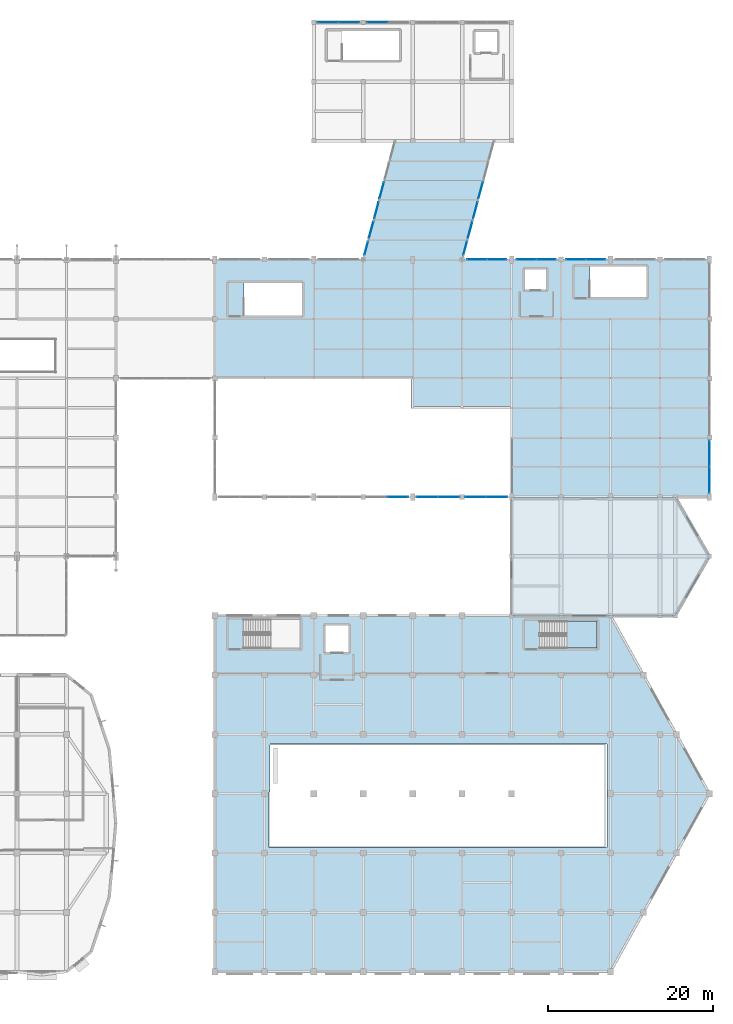
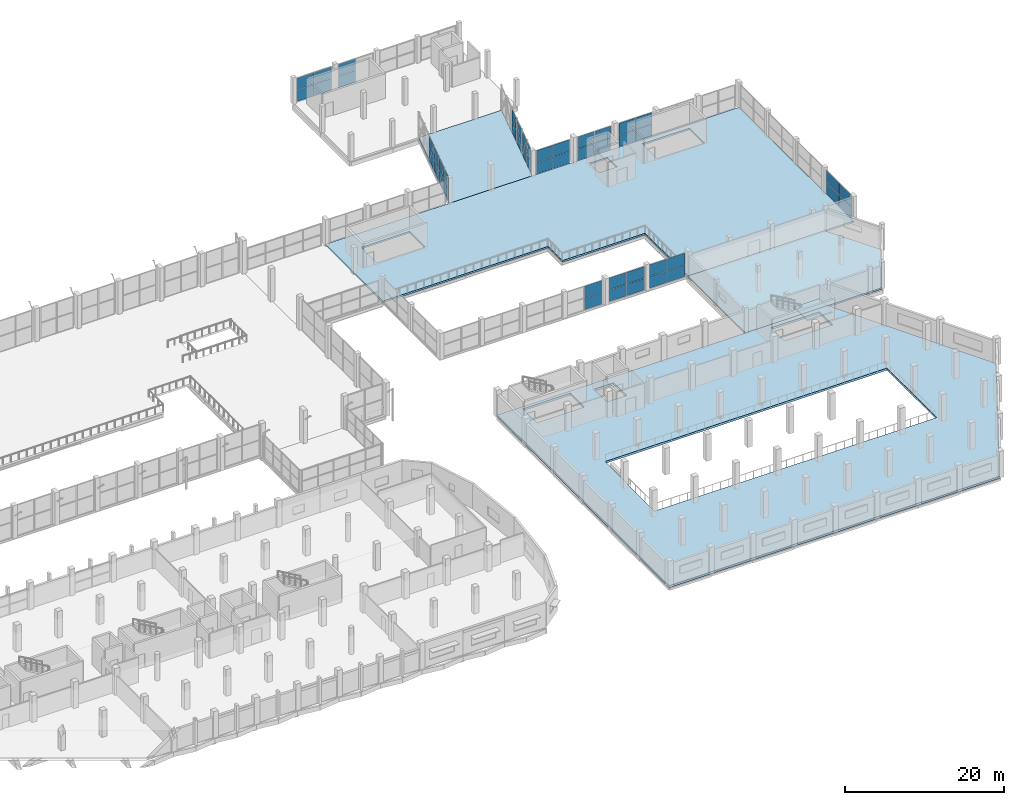
# One storey, part 98 of 127: 48 plates, 5 slabs, 18 elements without a shape of their own.
"""IFC4 building model written with IfcOpenShell, lengths in metres."""

from ifc_helpers import new_model, si_unit, direction, frame, origin, origin_2d, place, context, subcontext, project, spatial, polyline, rectangle, outline, extrude, material, layer, layer_set, type_object, element, aggregate, save


model = new_model("IFC4")

# Units and contexts
model_context = context("Model", 3, precision=1e-05, world=origin(), true_north=direction((0.0, 1.0)))
body_context = subcontext(model_context, "Body", "Model", "MODEL_VIEW")
ifc_project = project(units=[si_unit("LENGTHUNIT", "METRE"), si_unit("AREAUNIT", "SQUARE_METRE"), si_unit("VOLUMEUNIT", "CUBIC_METRE"), si_unit("PLANEANGLEUNIT", "RADIAN"), si_unit("MASSUNIT", "GRAM", prefix="KILO")], contexts=[model_context])

# Site, building, storey
site_placement = place(None, origin())
site = spatial("IfcSite", under=ifc_project, at=site_placement, CompositionType="ELEMENT")
building_placement = place(site_placement, origin())
building = spatial("IfcBuilding", under=site, at=building_placement, Name="Dunvalen Ferry Terminal", CompositionType="ELEMENT")
storey_placement = place(building_placement, frame((0.0, 0.0, 5.760009765625)))
storey = spatial("IfcBuildingStorey", under=building, at=storey_placement, Name="L01", CompositionType="ELEMENT", Elevation=5.760009765625)

# Curtain wall, plates
ifc_material_1 = material(Name="Anodised marine aluminium and solar-control glazing", Category="aluminium")
ifc_layer_1 = layer(ifc_material_1, 0.219970703125, Name="Anodised marine aluminium and solar-control glazing")
ifc_layer_set_1 = layer_set([ifc_layer_1], Name="Anodised marine aluminium and solar-control glazing")
curtain_wall_type_1 = type_object("IfcCurtainWallType", Name="ENV-CW-SYS-04", PredefinedType="NOTDEFINED", material=ifc_layer_set_1)
curtain_wall_1_placement = place(storey_placement, origin())
curtain_wall_1 = element("IfcCurtainWall", 1, at=curtain_wall_1_placement, inside=storey, type_object=curtain_wall_type_1, Name="L01 Curtain Wall CW-V2E-L01-1", PredefinedType="NOTDEFINED")
ifc_material_2 = material(Name="Low-E solar-control laminated double glazing", Category="glass")
ifc_layer_2 = layer(ifc_material_2, 0.031982421875, Name="Low-E solar-control laminated double glazing")
ifc_layer_set_2 = layer_set([ifc_layer_2], Name="Low-E solar-control laminated double glazing")
plate_type_1 = type_object("IfcPlateType", Name="ENV-CW-PNL-2", PredefinedType="CURTAIN_PANEL", material=ifc_layer_set_2)
plate_1_placement = place(storey_placement, frame((168.0, 59.677490234375, 0.080078125), z_axis=(0.0, 0.0, 1.0), x_axis=(0.0, 1.0, 0.0)))
plate_1 = element("IfcPlate", 2, at=plate_1_placement, type_object=plate_type_1, Name="CW-04 panel 1.1", PredefinedType="CURTAIN_PANEL", context=body_context, shape_type="SweptSolid", body=[
    extrude(rectangle(XDim=3.135009765625, YDim=0.031982421875, at=origin_2d()), origin(), (0.0, 0.0, 1.0), 1.780029296875),
])
plate_2_placement = place(storey_placement, frame((168.0, 59.677490234375, 1.919921875), z_axis=(0.0, 0.0, 1.0), x_axis=(0.0, 1.0, 0.0)))
plate_2 = element("IfcPlate", 3, at=plate_2_placement, type_object=plate_type_1, Name="CW-04 panel 1.2", PredefinedType="CURTAIN_PANEL", context=body_context, shape_type="SweptSolid", body=[
    extrude(rectangle(XDim=3.135009765625, YDim=0.031982421875, at=origin_2d()), origin(), (0.0, 0.0, 1.0), 1.780029296875),
])
plate_3_placement = place(storey_placement, frame((168.0, 62.87255859375, 0.080078125), z_axis=(0.0, 0.0, 1.0), x_axis=(0.0, 1.0, 0.0)))
plate_3 = element("IfcPlate", 4, at=plate_3_placement, type_object=plate_type_1, Name="CW-04 panel 2.1", PredefinedType="CURTAIN_PANEL", context=body_context, shape_type="SweptSolid", body=[
    extrude(rectangle(XDim=3.135009765625, YDim=0.031982421875, at=origin_2d()), origin(), (0.0, 0.0, 1.0), 1.780029296875),
])
plate_4_placement = place(storey_placement, frame((168.0, 62.87255859375, 1.919921875), z_axis=(0.0, 0.0, 1.0), x_axis=(0.0, 1.0, 0.0)))
plate_4 = element("IfcPlate", 5, at=plate_4_placement, type_object=plate_type_1, Name="CW-04 panel 2.2", PredefinedType="CURTAIN_PANEL", context=body_context, shape_type="SweptSolid", body=[
    extrude(rectangle(XDim=3.135009765625, YDim=0.031982421875, at=origin_2d()), origin(), (0.0, 0.0, 1.0), 1.780029296875),
])
aggregate(curtain_wall_1, [plate_1, plate_2, plate_3, plate_4])

ifc_layer_3 = layer(ifc_material_1, 0.159912109375, Name="Anodised marine aluminium and solar-control glazing")
ifc_layer_set_3 = layer_set([ifc_layer_3], Name="Anodised marine aluminium and solar-control glazing")
curtain_wall_type_2 = type_object("IfcCurtainWallType", Name="ENV-CW-SYS-08", PredefinedType="NOTDEFINED", material=ifc_layer_set_3)
curtain_wall_2_placement = place(storey_placement, origin())
curtain_wall_2 = element("IfcCurtainWall", 6, at=curtain_wall_2_placement, inside=storey, type_object=curtain_wall_type_2, Name="L01 Curtain Wall CW-BRT2-N-L01-1", PredefinedType="NOTDEFINED")
plate_5_placement = place(storey_placement, frame((121.739990234375, 115.199951171875, 0.06005859375), z_axis=(0.0, 0.0, 1.0), x_axis=(1.0, 0.0, 0.0)))
plate_5 = element("IfcPlate", 7, at=plate_5_placement, type_object=plate_type_1, Name="CW-08 panel 1.1", PredefinedType="CURTAIN_PANEL", context=body_context, shape_type="SweptSolid", body=[
    extrude(rectangle(XDim=2.4599609375, YDim=0.031982421875, at=origin_2d()), origin(), (0.0, 0.0, 1.0), 1.77001953125),
])
plate_6_placement = place(storey_placement, frame((121.739990234375, 115.199951171875, 1.889892578125), z_axis=(0.0, 0.0, 1.0), x_axis=(1.0, 0.0, 0.0)))
plate_6 = element("IfcPlate", 8, at=plate_6_placement, type_object=plate_type_1, Name="CW-08 panel 1.2", PredefinedType="CURTAIN_PANEL", context=body_context, shape_type="SweptSolid", body=[
    extrude(rectangle(XDim=2.4599609375, YDim=0.031982421875, at=origin_2d()), origin(), (0.0, 0.0, 1.0), 1.77001953125),
])
plate_7_placement = place(storey_placement, frame((124.260009765625, 115.199951171875, 0.06005859375), z_axis=(0.0, 0.0, 1.0), x_axis=(1.0, 0.0, 0.0)))
plate_7 = element("IfcPlate", 9, at=plate_7_placement, type_object=plate_type_1, Name="CW-08 panel 2.1", PredefinedType="CURTAIN_PANEL", context=body_context, shape_type="SweptSolid", body=[
    extrude(rectangle(XDim=2.4599609375, YDim=0.031982421875, at=origin_2d()), origin(), (0.0, 0.0, 1.0), 1.77001953125),
])
plate_8_placement = place(storey_placement, frame((124.260009765625, 115.199951171875, 1.889892578125), z_axis=(0.0, 0.0, 1.0), x_axis=(1.0, 0.0, 0.0)))
plate_8 = element("IfcPlate", 10, at=plate_8_placement, type_object=plate_type_1, Name="CW-08 panel 2.2", PredefinedType="CURTAIN_PANEL", context=body_context, shape_type="SweptSolid", body=[
    extrude(rectangle(XDim=2.4599609375, YDim=0.031982421875, at=origin_2d()), origin(), (0.0, 0.0, 1.0), 1.77001953125),
])
aggregate(curtain_wall_2, [plate_5, plate_6, plate_7, plate_8])

curtain_wall_3_placement = place(storey_placement, origin())
curtain_wall_3 = element("IfcCurtainWall", 11, at=curtain_wall_3_placement, inside=storey, type_object=curtain_wall_type_2, Name="L01 Curtain Wall CW-BRT2-N-L01-2", PredefinedType="NOTDEFINED")
plate_9_placement = place(storey_placement, frame((127.739990234375, 115.199951171875, 0.06005859375), z_axis=(0.0, 0.0, 1.0), x_axis=(1.0, 0.0, 0.0)))
plate_9 = element("IfcPlate", 12, at=plate_9_placement, type_object=plate_type_1, Name="CW-08 panel 1.1", PredefinedType="CURTAIN_PANEL", context=body_context, shape_type="SweptSolid", body=[
    extrude(rectangle(XDim=2.4599609375, YDim=0.031982421875, at=origin_2d()), origin(), (0.0, 0.0, 1.0), 1.77001953125),
])
plate_10_placement = place(storey_placement, frame((127.739990234375, 115.199951171875, 1.889892578125), z_axis=(0.0, 0.0, 1.0), x_axis=(1.0, 0.0, 0.0)))
plate_10 = element("IfcPlate", 13, at=plate_10_placement, type_object=plate_type_1, Name="CW-08 panel 1.2", PredefinedType="CURTAIN_PANEL", context=body_context, shape_type="SweptSolid", body=[
    extrude(rectangle(XDim=2.4599609375, YDim=0.031982421875, at=origin_2d()), origin(), (0.0, 0.0, 1.0), 1.77001953125),
])
aggregate(curtain_wall_3, [plate_9, plate_10])

ifc_layer_4 = layer(ifc_material_1, 0.219970703125, Name="Anodised marine aluminium and solar-control glazing")
ifc_layer_set_4 = layer_set([ifc_layer_4], Name="Anodised marine aluminium and solar-control glazing")
curtain_wall_type_3 = type_object("IfcCurtainWallType", Name="ENV-CW-SYS-02", PredefinedType="NOTDEFINED", material=ifc_layer_set_4)
curtain_wall_4_placement = place(storey_placement, origin())
curtain_wall_4 = element("IfcCurtainWall", 14, at=curtain_wall_4_placement, inside=storey, type_object=curtain_wall_type_3, Name="L01 Curtain Wall CW-V2S-L01-04", PredefinedType="NOTDEFINED")
ifc_layer_5 = layer(ifc_material_2, 0.0400390625, Name="Low-E solar-control laminated double glazing")
ifc_layer_set_5 = layer_set([ifc_layer_5], Name="Low-E solar-control laminated double glazing")
plate_type_2 = type_object("IfcPlateType", Name="ENV-CW-PNL-4", PredefinedType="CURTAIN_PANEL", material=ifc_layer_set_5)
plate_11_placement = place(storey_placement, frame((130.222412109375, 57.60009765625, 0.080078125), z_axis=(0.0, 0.0, 1.0), x_axis=(1.0, 0.0, 0.0)))
plate_11 = element("IfcPlate", 15, at=plate_11_placement, type_object=plate_type_2, Name="CW-02 panel 2.1", PredefinedType="CURTAIN_PANEL", context=body_context, shape_type="SweptSolid", body=[
    extrude(rectangle(XDim=2.534912109375, YDim=0.0400390625, at=origin_2d()), origin(), (0.0, 0.0, 1.0), 1.780029296875),
])
plate_12_placement = place(storey_placement, frame((130.222412109375, 57.60009765625, 1.919921875), z_axis=(0.0, 0.0, 1.0), x_axis=(1.0, 0.0, 0.0)))
plate_12 = element("IfcPlate", 16, at=plate_12_placement, type_object=plate_type_2, Name="CW-02 panel 2.2", PredefinedType="CURTAIN_PANEL", context=body_context, shape_type="SweptSolid", body=[
    extrude(rectangle(XDim=2.534912109375, YDim=0.0400390625, at=origin_2d()), origin(), (0.0, 0.0, 1.0), 1.780029296875),
])
aggregate(curtain_wall_4, [plate_11, plate_12])

curtain_wall_5_placement = place(storey_placement, origin())
curtain_wall_5 = element("IfcCurtainWall", 17, at=curtain_wall_5_placement, inside=storey, type_object=curtain_wall_type_3, Name="L01 Curtain Wall CW-V2S-L01-05", PredefinedType="NOTDEFINED")
plate_13_placement = place(storey_placement, frame((133.777587890625, 57.60009765625, 0.080078125), z_axis=(0.0, 0.0, 1.0), x_axis=(1.0, 0.0, 0.0)))
plate_13 = element("IfcPlate", 18, at=plate_13_placement, type_object=plate_type_2, Name="CW-02 panel 1.1", PredefinedType="CURTAIN_PANEL", context=body_context, shape_type="SweptSolid", body=[
    extrude(rectangle(XDim=2.534912109375, YDim=0.0400390625, at=origin_2d()), origin(), (0.0, 0.0, 1.0), 1.780029296875),
])
plate_14_placement = place(storey_placement, frame((133.777587890625, 57.60009765625, 1.919921875), z_axis=(0.0, 0.0, 1.0), x_axis=(1.0, 0.0, 0.0)))
plate_14 = element("IfcPlate", 19, at=plate_14_placement, type_object=plate_type_2, Name="CW-02 panel 1.2", PredefinedType="CURTAIN_PANEL", context=body_context, shape_type="SweptSolid", body=[
    extrude(rectangle(XDim=2.534912109375, YDim=0.0400390625, at=origin_2d()), origin(), (0.0, 0.0, 1.0), 1.780029296875),
])
plate_15_placement = place(storey_placement, frame((136.37255859375, 57.60009765625, 0.080078125), z_axis=(0.0, 0.0, 1.0), x_axis=(1.0, 0.0, 0.0)))
plate_15 = element("IfcPlate", 20, at=plate_15_placement, type_object=plate_type_2, Name="CW-02 panel 2.1", PredefinedType="CURTAIN_PANEL", context=body_context, shape_type="SweptSolid", body=[
    extrude(rectangle(XDim=2.534912109375, YDim=0.0400390625, at=origin_2d()), origin(), (0.0, 0.0, 1.0), 1.780029296875),
])
plate_16_placement = place(storey_placement, frame((136.37255859375, 57.60009765625, 1.919921875), z_axis=(0.0, 0.0, 1.0), x_axis=(1.0, 0.0, 0.0)))
plate_16 = element("IfcPlate", 21, at=plate_16_placement, type_object=plate_type_2, Name="CW-02 panel 2.2", PredefinedType="CURTAIN_PANEL", context=body_context, shape_type="SweptSolid", body=[
    extrude(rectangle(XDim=2.534912109375, YDim=0.0400390625, at=origin_2d()), origin(), (0.0, 0.0, 1.0), 1.780029296875),
])
aggregate(curtain_wall_5, [plate_13, plate_14, plate_15, plate_16])

curtain_wall_6_placement = place(storey_placement, origin())
curtain_wall_6 = element("IfcCurtainWall", 22, at=curtain_wall_6_placement, inside=storey, type_object=curtain_wall_type_3, Name="L01 Curtain Wall CW-V2S-L01-06", PredefinedType="NOTDEFINED")
plate_17_placement = place(storey_placement, frame((139.62744140625, 57.60009765625, 0.080078125), z_axis=(0.0, 0.0, 1.0), x_axis=(1.0, 0.0, 0.0)))
plate_17 = element("IfcPlate", 23, at=plate_17_placement, type_object=plate_type_2, Name="CW-02 panel 1.1", PredefinedType="CURTAIN_PANEL", context=body_context, shape_type="SweptSolid", body=[
    extrude(rectangle(XDim=2.534912109375, YDim=0.0400390625, at=origin_2d()), origin(), (0.0, 0.0, 1.0), 1.780029296875),
])
plate_18_placement = place(storey_placement, frame((139.62744140625, 57.60009765625, 1.919921875), z_axis=(0.0, 0.0, 1.0), x_axis=(1.0, 0.0, 0.0)))
plate_18 = element("IfcPlate", 24, at=plate_18_placement, type_object=plate_type_2, Name="CW-02 panel 1.2", PredefinedType="CURTAIN_PANEL", context=body_context, shape_type="SweptSolid", body=[
    extrude(rectangle(XDim=2.534912109375, YDim=0.0400390625, at=origin_2d()), origin(), (0.0, 0.0, 1.0), 1.780029296875),
])
plate_19_placement = place(storey_placement, frame((142.222412109375, 57.60009765625, 0.080078125), z_axis=(0.0, 0.0, 1.0), x_axis=(1.0, 0.0, 0.0)))
plate_19 = element("IfcPlate", 25, at=plate_19_placement, type_object=plate_type_2, Name="CW-02 panel 2.1", PredefinedType="CURTAIN_PANEL", context=body_context, shape_type="SweptSolid", body=[
    extrude(rectangle(XDim=2.534912109375, YDim=0.0400390625, at=origin_2d()), origin(), (0.0, 0.0, 1.0), 1.780029296875),
])
plate_20_placement = place(storey_placement, frame((142.222412109375, 57.60009765625, 1.919921875), z_axis=(0.0, 0.0, 1.0), x_axis=(1.0, 0.0, 0.0)))
plate_20 = element("IfcPlate", 26, at=plate_20_placement, type_object=plate_type_2, Name="CW-02 panel 2.2", PredefinedType="CURTAIN_PANEL", context=body_context, shape_type="SweptSolid", body=[
    extrude(rectangle(XDim=2.534912109375, YDim=0.0400390625, at=origin_2d()), origin(), (0.0, 0.0, 1.0), 1.780029296875),
])
aggregate(curtain_wall_6, [plate_17, plate_18, plate_19, plate_20])

ifc_layer_6 = layer(ifc_material_1, 0.159912109375, Name="Anodised marine aluminium and solar-control glazing")
ifc_layer_set_6 = layer_set([ifc_layer_6], Name="Anodised marine aluminium and solar-control glazing")
curtain_wall_type_4 = type_object("IfcCurtainWallType", Name="ENV-CW-SYS-07", PredefinedType="NOTDEFINED", material=ifc_layer_set_6)
curtain_wall_7_placement = place(storey_placement, origin())
curtain_wall_7 = element("IfcCurtainWall", 27, at=curtain_wall_7_placement, inside=storey, type_object=curtain_wall_type_4, Name="L01 Curtain Wall CW-BRG2-S1-1", PredefinedType="NOTDEFINED")
ifc_layer_7 = layer(ifc_material_2, 0.0439453125, Name="Low-E solar-control laminated double glazing")
ifc_layer_set_7 = layer_set([ifc_layer_7], Name="Low-E solar-control laminated double glazing")
plate_type_3 = type_object("IfcPlateType", Name="ENV-CW-PNL-5", PredefinedType="CURTAIN_PANEL", material=ifc_layer_set_7)
plate_21_placement = place(storey_placement, frame((126.37158203125, 87.787109375, 0.06005859375), z_axis=(0.0, 0.0, 1.0), x_axis=(0.258843376057, 0.965919306501, 0.0)))
plate_21 = element("IfcPlate", 28, at=plate_21_placement, type_object=plate_type_3, Name="CW-07 panel 1.1", PredefinedType="CURTAIN_PANEL", context=body_context, shape_type="SweptSolid", body=[
    extrude(rectangle(XDim=1.619384765625, YDim=0.0439453125, at=origin_2d()), origin(), (0.0, 0.0, 1.0), 1.77001953125),
])
plate_22_placement = place(storey_placement, frame((126.37158203125, 87.787109375, 1.889892578125), z_axis=(0.0, 0.0, 1.0), x_axis=(0.258843376057, 0.965919306501, 0.0)))
plate_22 = element("IfcPlate", 29, at=plate_22_placement, type_object=plate_type_3, Name="CW-07 panel 1.2", PredefinedType="CURTAIN_PANEL", context=body_context, shape_type="SweptSolid", body=[
    extrude(rectangle(XDim=1.619384765625, YDim=0.0439453125, at=origin_2d()), origin(), (0.0, 0.0, 1.0), 1.77001953125),
])
aggregate(curtain_wall_7, [plate_21, plate_22])

curtain_wall_8_placement = place(storey_placement, origin())
curtain_wall_8 = element("IfcCurtainWall", 30, at=curtain_wall_8_placement, inside=storey, type_object=curtain_wall_type_4, Name="L01 Curtain Wall CW-BRG2-S1-2", PredefinedType="NOTDEFINED")
plate_23_placement = place(storey_placement, frame((126.964599609375, 90.0, 0.06005859375), z_axis=(0.0, 0.0, 1.0), x_axis=(0.258830090561, 0.9659228666, 0.0)))
plate_23 = element("IfcPlate", 31, at=plate_23_placement, type_object=plate_type_3, Name="CW-07 panel 1.1", PredefinedType="CURTAIN_PANEL", context=body_context, shape_type="SweptSolid", body=[
    extrude(rectangle(XDim=2.0068359375, YDim=0.0439453125, at=origin_2d()), origin(), (0.0, 0.0, 1.0), 1.77001953125),
])
plate_24_placement = place(storey_placement, frame((126.964599609375, 90.0, 1.889892578125), z_axis=(0.0, 0.0, 1.0), x_axis=(0.258830090561, 0.9659228666, 0.0)))
plate_24 = element("IfcPlate", 32, at=plate_24_placement, type_object=plate_type_3, Name="CW-07 panel 1.2", PredefinedType="CURTAIN_PANEL", context=body_context, shape_type="SweptSolid", body=[
    extrude(rectangle(XDim=2.0068359375, YDim=0.0439453125, at=origin_2d()), origin(), (0.0, 0.0, 1.0), 1.77001953125),
])
aggregate(curtain_wall_8, [plate_23, plate_24])

curtain_wall_9_placement = place(storey_placement, origin())
curtain_wall_9 = element("IfcCurtainWall", 33, at=curtain_wall_9_placement, inside=storey, type_object=curtain_wall_type_4, Name="L01 Curtain Wall CW-BRG2-S1-3", PredefinedType="NOTDEFINED")
plate_25_placement = place(storey_placement, frame((127.607666015625, 92.39990234375, 0.06005859375), z_axis=(0.0, 0.0, 1.0), x_axis=(0.258786222315, 0.965934620531, 0.0)))
plate_25 = element("IfcPlate", 34, at=plate_25_placement, type_object=plate_type_3, Name="CW-07 panel 1.1", PredefinedType="CURTAIN_PANEL", context=body_context, shape_type="SweptSolid", body=[
    extrude(rectangle(XDim=2.0068359375, YDim=0.0439453125, at=origin_2d()), origin(), (0.0, 0.0, 1.0), 1.77001953125),
])
plate_26_placement = place(storey_placement, frame((127.607666015625, 92.39990234375, 1.889892578125), z_axis=(0.0, 0.0, 1.0), x_axis=(0.258786222315, 0.965934620531, 0.0)))
plate_26 = element("IfcPlate", 35, at=plate_26_placement, type_object=plate_type_3, Name="CW-07 panel 1.2", PredefinedType="CURTAIN_PANEL", context=body_context, shape_type="SweptSolid", body=[
    extrude(rectangle(XDim=2.0068359375, YDim=0.0439453125, at=origin_2d()), origin(), (0.0, 0.0, 1.0), 1.77001953125),
])
aggregate(curtain_wall_9, [plate_25, plate_26])

curtain_wall_10_placement = place(storey_placement, origin())
curtain_wall_10 = element("IfcCurtainWall", 36, at=curtain_wall_10_placement, inside=storey, type_object=curtain_wall_type_4, Name="L01 Curtain Wall CW-BRG2-S1-4", PredefinedType="NOTDEFINED")
plate_27_placement = place(storey_placement, frame((128.250732421875, 94.800048828125, 0.06005859375), z_axis=(0.0, 0.0, 1.0), x_axis=(0.258786222315, 0.965934620531, 0.0)))
plate_27 = element("IfcPlate", 37, at=plate_27_placement, type_object=plate_type_3, Name="CW-07 panel 1.1", PredefinedType="CURTAIN_PANEL", context=body_context, shape_type="SweptSolid", body=[
    extrude(rectangle(XDim=2.0068359375, YDim=0.0439453125, at=origin_2d()), origin(), (0.0, 0.0, 1.0), 1.77001953125),
])
plate_28_placement = place(storey_placement, frame((128.250732421875, 94.800048828125, 1.889892578125), z_axis=(0.0, 0.0, 1.0), x_axis=(0.258786222315, 0.965934620531, 0.0)))
plate_28 = element("IfcPlate", 38, at=plate_28_placement, type_object=plate_type_3, Name="CW-07 panel 1.2", PredefinedType="CURTAIN_PANEL", context=body_context, shape_type="SweptSolid", body=[
    extrude(rectangle(XDim=2.0068359375, YDim=0.0439453125, at=origin_2d()), origin(), (0.0, 0.0, 1.0), 1.77001953125),
])
aggregate(curtain_wall_10, [plate_27, plate_28])

curtain_wall_11_placement = place(storey_placement, origin())
curtain_wall_11 = element("IfcCurtainWall", 39, at=curtain_wall_11_placement, inside=storey, type_object=curtain_wall_type_4, Name="L01 Curtain Wall CW-BRG2-S2-1", PredefinedType="NOTDEFINED")
plate_29_placement = place(storey_placement, frame((138.37158203125, 87.787109375, 0.06005859375), z_axis=(0.0, 0.0, 1.0), x_axis=(0.258843376057, 0.965919306501, 0.0)))
plate_29 = element("IfcPlate", 40, at=plate_29_placement, type_object=plate_type_3, Name="CW-07 panel 1.1", PredefinedType="CURTAIN_PANEL", context=body_context, shape_type="SweptSolid", body=[
    extrude(rectangle(XDim=1.619384765625, YDim=0.0439453125, at=origin_2d()), origin(), (0.0, 0.0, 1.0), 1.77001953125),
])
plate_30_placement = place(storey_placement, frame((138.37158203125, 87.787109375, 1.889892578125), z_axis=(0.0, 0.0, 1.0), x_axis=(0.258843376057, 0.965919306501, 0.0)))
plate_30 = element("IfcPlate", 41, at=plate_30_placement, type_object=plate_type_3, Name="CW-07 panel 1.2", PredefinedType="CURTAIN_PANEL", context=body_context, shape_type="SweptSolid", body=[
    extrude(rectangle(XDim=1.619384765625, YDim=0.0439453125, at=origin_2d()), origin(), (0.0, 0.0, 1.0), 1.77001953125),
])
aggregate(curtain_wall_11, [plate_29, plate_30])

curtain_wall_12_placement = place(storey_placement, origin())
curtain_wall_12 = element("IfcCurtainWall", 42, at=curtain_wall_12_placement, inside=storey, type_object=curtain_wall_type_4, Name="L01 Curtain Wall CW-BRG2-S2-2", PredefinedType="NOTDEFINED")
plate_31_placement = place(storey_placement, frame((138.964599609375, 90.0, 0.06005859375), z_axis=(0.0, 0.0, 1.0), x_axis=(0.258830090561, 0.9659228666, 0.0)))
plate_31 = element("IfcPlate", 43, at=plate_31_placement, type_object=plate_type_3, Name="CW-07 panel 1.1", PredefinedType="CURTAIN_PANEL", context=body_context, shape_type="SweptSolid", body=[
    extrude(rectangle(XDim=2.0068359375, YDim=0.0439453125, at=origin_2d()), origin(), (0.0, 0.0, 1.0), 1.77001953125),
])
plate_32_placement = place(storey_placement, frame((138.964599609375, 90.0, 1.889892578125), z_axis=(0.0, 0.0, 1.0), x_axis=(0.258830090561, 0.9659228666, 0.0)))
plate_32 = element("IfcPlate", 44, at=plate_32_placement, type_object=plate_type_3, Name="CW-07 panel 1.2", PredefinedType="CURTAIN_PANEL", context=body_context, shape_type="SweptSolid", body=[
    extrude(rectangle(XDim=2.0068359375, YDim=0.0439453125, at=origin_2d()), origin(), (0.0, 0.0, 1.0), 1.77001953125),
])
aggregate(curtain_wall_12, [plate_31, plate_32])

curtain_wall_13_placement = place(storey_placement, origin())
curtain_wall_13 = element("IfcCurtainWall", 45, at=curtain_wall_13_placement, inside=storey, type_object=curtain_wall_type_4, Name="L01 Curtain Wall CW-BRG2-S2-3", PredefinedType="NOTDEFINED")
plate_33_placement = place(storey_placement, frame((139.607666015625, 92.39990234375, 0.06005859375), z_axis=(0.0, 0.0, 1.0), x_axis=(0.258786222315, 0.965934620531, 0.0)))
plate_33 = element("IfcPlate", 46, at=plate_33_placement, type_object=plate_type_3, Name="CW-07 panel 1.1", PredefinedType="CURTAIN_PANEL", context=body_context, shape_type="SweptSolid", body=[
    extrude(rectangle(XDim=2.0068359375, YDim=0.0439453125, at=origin_2d()), origin(), (0.0, 0.0, 1.0), 1.77001953125),
])
plate_34_placement = place(storey_placement, frame((139.607666015625, 92.39990234375, 1.889892578125), z_axis=(0.0, 0.0, 1.0), x_axis=(0.258786222315, 0.965934620531, 0.0)))
plate_34 = element("IfcPlate", 47, at=plate_34_placement, type_object=plate_type_3, Name="CW-07 panel 1.2", PredefinedType="CURTAIN_PANEL", context=body_context, shape_type="SweptSolid", body=[
    extrude(rectangle(XDim=2.0068359375, YDim=0.0439453125, at=origin_2d()), origin(), (0.0, 0.0, 1.0), 1.77001953125),
])
aggregate(curtain_wall_13, [plate_33, plate_34])

curtain_wall_14_placement = place(storey_placement, origin())
curtain_wall_14 = element("IfcCurtainWall", 48, at=curtain_wall_14_placement, inside=storey, type_object=curtain_wall_type_4, Name="L01 Curtain Wall CW-BRG2-S2-4", PredefinedType="NOTDEFINED")
plate_35_placement = place(storey_placement, frame((140.250732421875, 94.800048828125, 0.06005859375), z_axis=(0.0, 0.0, 1.0), x_axis=(0.258786222315, 0.965934620531, 0.0)))
plate_35 = element("IfcPlate", 49, at=plate_35_placement, type_object=plate_type_3, Name="CW-07 panel 1.1", PredefinedType="CURTAIN_PANEL", context=body_context, shape_type="SweptSolid", body=[
    extrude(rectangle(XDim=2.0068359375, YDim=0.0439453125, at=origin_2d()), origin(), (0.0, 0.0, 1.0), 1.77001953125),
])
plate_36_placement = place(storey_placement, frame((140.250732421875, 94.800048828125, 1.889892578125), z_axis=(0.0, 0.0, 1.0), x_axis=(0.258786222315, 0.965934620531, 0.0)))
plate_36 = element("IfcPlate", 50, at=plate_36_placement, type_object=plate_type_3, Name="CW-07 panel 1.2", PredefinedType="CURTAIN_PANEL", context=body_context, shape_type="SweptSolid", body=[
    extrude(rectangle(XDim=2.0068359375, YDim=0.0439453125, at=origin_2d()), origin(), (0.0, 0.0, 1.0), 1.77001953125),
])
aggregate(curtain_wall_14, [plate_35, plate_36])

curtain_wall_15_placement = place(storey_placement, origin())
curtain_wall_15 = element("IfcCurtainWall", 51, at=curtain_wall_15_placement, inside=storey, type_object=curtain_wall_type_3, Name="L01 Curtain Wall CW-V2N-L01-06", PredefinedType="NOTDEFINED")
ifc_layer_8 = layer(ifc_material_2, 0.048095703125, Name="Low-E solar-control laminated double glazing")
ifc_layer_set_8 = layer_set([ifc_layer_8], Name="Low-E solar-control laminated double glazing")
plate_type_4 = type_object("IfcPlateType", Name="ENV-CW-PNL-6", PredefinedType="CURTAIN_PANEL", material=ifc_layer_set_8)
plate_37_placement = place(storey_placement, frame((139.794921875, 86.39990234375, 0.06005859375), z_axis=(0.0, 0.0, 1.0), x_axis=(1.0, 0.0, 0.0)))
plate_37 = element("IfcPlate", 52, at=plate_37_placement, type_object=plate_type_4, Name="CW-02 panel 1.1", PredefinedType="CURTAIN_PANEL", context=body_context, shape_type="SweptSolid", body=[
    extrude(rectangle(XDim=2.35009765625, YDim=0.048095703125, at=origin_2d()), origin(), (0.0, 0.0, 1.0), 1.77001953125),
])
plate_38_placement = place(storey_placement, frame((139.794921875, 86.39990234375, 1.889892578125), z_axis=(0.0, 0.0, 1.0), x_axis=(1.0, 0.0, 0.0)))
plate_38 = element("IfcPlate", 53, at=plate_38_placement, type_object=plate_type_4, Name="CW-02 panel 1.2", PredefinedType="CURTAIN_PANEL", context=body_context, shape_type="SweptSolid", body=[
    extrude(rectangle(XDim=2.35009765625, YDim=0.048095703125, at=origin_2d()), origin(), (0.0, 0.0, 1.0), 1.77001953125),
])
plate_39_placement = place(storey_placement, frame((142.205078125, 86.39990234375, 0.06005859375), z_axis=(0.0, 0.0, 1.0), x_axis=(1.0, 0.0, 0.0)))
plate_39 = element("IfcPlate", 54, at=plate_39_placement, type_object=plate_type_4, Name="CW-02 panel 2.1", PredefinedType="CURTAIN_PANEL", context=body_context, shape_type="SweptSolid", body=[
    extrude(rectangle(XDim=2.35009765625, YDim=0.048095703125, at=origin_2d()), origin(), (0.0, 0.0, 1.0), 1.77001953125),
])
plate_40_placement = place(storey_placement, frame((142.205078125, 86.39990234375, 1.889892578125), z_axis=(0.0, 0.0, 1.0), x_axis=(1.0, 0.0, 0.0)))
plate_40 = element("IfcPlate", 55, at=plate_40_placement, type_object=plate_type_4, Name="CW-02 panel 2.2", PredefinedType="CURTAIN_PANEL", context=body_context, shape_type="SweptSolid", body=[
    extrude(rectangle(XDim=2.35009765625, YDim=0.048095703125, at=origin_2d()), origin(), (0.0, 0.0, 1.0), 1.77001953125),
])
aggregate(curtain_wall_15, [plate_37, plate_38, plate_39, plate_40])

curtain_wall_16_placement = place(storey_placement, origin())
curtain_wall_16 = element("IfcCurtainWall", 56, at=curtain_wall_16_placement, inside=storey, type_object=curtain_wall_type_3, Name="L01 Curtain Wall CW-V2N-L01-07", PredefinedType="NOTDEFINED")
plate_41_placement = place(storey_placement, frame((145.794921875, 86.39990234375, 0.06005859375), z_axis=(0.0, 0.0, 1.0), x_axis=(1.0, 0.0, 0.0)))
plate_41 = element("IfcPlate", 57, at=plate_41_placement, type_object=plate_type_4, Name="CW-02 panel 1.1", PredefinedType="CURTAIN_PANEL", context=body_context, shape_type="SweptSolid", body=[
    extrude(rectangle(XDim=2.35009765625, YDim=0.048095703125, at=origin_2d()), origin(), (0.0, 0.0, 1.0), 1.77001953125),
])
plate_42_placement = place(storey_placement, frame((145.794921875, 86.39990234375, 1.889892578125), z_axis=(0.0, 0.0, 1.0), x_axis=(1.0, 0.0, 0.0)))
plate_42 = element("IfcPlate", 58, at=plate_42_placement, type_object=plate_type_4, Name="CW-02 panel 1.2", PredefinedType="CURTAIN_PANEL", context=body_context, shape_type="SweptSolid", body=[
    extrude(rectangle(XDim=2.35009765625, YDim=0.048095703125, at=origin_2d()), origin(), (0.0, 0.0, 1.0), 1.77001953125),
])
plate_43_placement = place(storey_placement, frame((148.205078125, 86.39990234375, 0.06005859375), z_axis=(0.0, 0.0, 1.0), x_axis=(1.0, 0.0, 0.0)))
plate_43 = element("IfcPlate", 59, at=plate_43_placement, type_object=plate_type_4, Name="CW-02 panel 2.1", PredefinedType="CURTAIN_PANEL", context=body_context, shape_type="SweptSolid", body=[
    extrude(rectangle(XDim=2.35009765625, YDim=0.048095703125, at=origin_2d()), origin(), (0.0, 0.0, 1.0), 1.77001953125),
])
plate_44_placement = place(storey_placement, frame((148.205078125, 86.39990234375, 1.889892578125), z_axis=(0.0, 0.0, 1.0), x_axis=(1.0, 0.0, 0.0)))
plate_44 = element("IfcPlate", 60, at=plate_44_placement, type_object=plate_type_4, Name="CW-02 panel 2.2", PredefinedType="CURTAIN_PANEL", context=body_context, shape_type="SweptSolid", body=[
    extrude(rectangle(XDim=2.35009765625, YDim=0.048095703125, at=origin_2d()), origin(), (0.0, 0.0, 1.0), 1.77001953125),
])
aggregate(curtain_wall_16, [plate_41, plate_42, plate_43, plate_44])

curtain_wall_17_placement = place(storey_placement, origin())
curtain_wall_17 = element("IfcCurtainWall", 61, at=curtain_wall_17_placement, inside=storey, type_object=curtain_wall_type_3, Name="L01 Curtain Wall CW-V2N-L01-08", PredefinedType="NOTDEFINED")
plate_45_placement = place(storey_placement, frame((151.794921875, 86.39990234375, 0.06005859375), z_axis=(0.0, 0.0, 1.0), x_axis=(1.0, 0.0, 0.0)))
plate_45 = element("IfcPlate", 62, at=plate_45_placement, type_object=plate_type_4, Name="CW-02 panel 1.1", PredefinedType="CURTAIN_PANEL", context=body_context, shape_type="SweptSolid", body=[
    extrude(rectangle(XDim=2.35009765625, YDim=0.048095703125, at=origin_2d()), origin(), (0.0, 0.0, 1.0), 1.77001953125),
])
plate_46_placement = place(storey_placement, frame((151.794921875, 86.39990234375, 1.889892578125), z_axis=(0.0, 0.0, 1.0), x_axis=(1.0, 0.0, 0.0)))
plate_46 = element("IfcPlate", 63, at=plate_46_placement, type_object=plate_type_4, Name="CW-02 panel 1.2", PredefinedType="CURTAIN_PANEL", context=body_context, shape_type="SweptSolid", body=[
    extrude(rectangle(XDim=2.35009765625, YDim=0.048095703125, at=origin_2d()), origin(), (0.0, 0.0, 1.0), 1.77001953125),
])
plate_47_placement = place(storey_placement, frame((154.205078125, 86.39990234375, 0.06005859375), z_axis=(0.0, 0.0, 1.0), x_axis=(1.0, 0.0, 0.0)))
plate_47 = element("IfcPlate", 64, at=plate_47_placement, type_object=plate_type_4, Name="CW-02 panel 2.1", PredefinedType="CURTAIN_PANEL", context=body_context, shape_type="SweptSolid", body=[
    extrude(rectangle(XDim=2.35009765625, YDim=0.048095703125, at=origin_2d()), origin(), (0.0, 0.0, 1.0), 1.77001953125),
])
plate_48_placement = place(storey_placement, frame((154.205078125, 86.39990234375, 1.889892578125), z_axis=(0.0, 0.0, 1.0), x_axis=(1.0, 0.0, 0.0)))
plate_48 = element("IfcPlate", 65, at=plate_48_placement, type_object=plate_type_4, Name="CW-02 panel 2.2", PredefinedType="CURTAIN_PANEL", context=body_context, shape_type="SweptSolid", body=[
    extrude(rectangle(XDim=2.35009765625, YDim=0.048095703125, at=origin_2d()), origin(), (0.0, 0.0, 1.0), 1.77001953125),
])
aggregate(curtain_wall_17, [plate_45, plate_46, plate_47, plate_48])

# Stair, slab
ifc_material_3 = material(Name="Concrete C35/45", Category="concrete")
stair_type = type_object("IfcStairType", Name="INT-ST-DLG-03", PredefinedType="HALF_TURN_STAIR", material=ifc_material_3)
stair_placement = place(storey_placement, origin())
stair = element("IfcStair", 66, at=stair_placement, inside=storey, type_object=stair_type, Name="L01 Protected Escape Stair 6", PredefinedType="HALF_TURN_STAIR")
ifc_layer_9 = layer(ifc_material_3, 0.199951171875, Name="Concrete C35/45")
ifc_layer_set_9 = layer_set([ifc_layer_9], Name="Concrete C35/45")
slab_type_1 = type_object("IfcSlabType", Name="INT-SLB-LND200", PredefinedType="LANDING", material=ifc_layer_set_9)
slab_1_placement = place(storey_placement, frame((0.0, 0.0, 1.840087890625)))
slab_1 = element("IfcSlab", 67, at=slab_1_placement, type_object=slab_type_1, Name="ST6 landing 1", PredefinedType="LANDING", context=body_context, shape_type="SweptSolid", body=[
    extrude(outline(polyline([(150.699951171875, 39.25), (154.35009765625, 39.25), (154.35009765625, 42.550048828125), (150.699951171875, 42.550048828125), (150.699951171875, 39.25)])), origin(), (0.0, 0.0, 1.0), 0.199951171875),
])
aggregate(stair, [slab_1])

# Slabs
ifc_material_4 = material(Name="Concrete C40/50", Category="concrete")
ifc_layer_10 = layer(ifc_material_4, 0.239990234375, Name="Concrete C40/50")
ifc_layer_set_10 = layer_set([ifc_layer_10], Name="Concrete C40/50")
slab_type_2 = type_object("IfcSlabType", Name="STR-SLB-BRG240", PredefinedType="FLOOR", material=ifc_layer_set_10)
slab_2_placement = place(storey_placement, frame((0.0, 0.0, -0.239990234375)))
element("IfcSlab", 68, at=slab_2_placement, inside=storey, type_object=slab_type_2, Name="L01 Splayed Passenger Boarding Bridge 2 Deck Slab", PredefinedType="FLOOR", context=body_context, shape_type="SweptSolid", body=[
    extrude(outline(polyline([(126.0, 86.39990234375), (138.0, 86.39990234375), (141.8583984375, 100.800048828125), (129.8583984375, 100.800048828125), (126.0, 86.39990234375)])), origin(), (0.0, 0.0, 1.0), 0.239990234375),
])
ifc_layer_11 = layer(ifc_material_3, 0.260009765625, Name="Concrete C35/45")
ifc_layer_set_11 = layer_set([ifc_layer_11], Name="Concrete C35/45")
slab_type_3 = type_object("IfcSlabType", Name="STR-SLB-FLR260", PredefinedType="FLOOR", material=ifc_layer_set_11)
slab_3_placement = place(storey_placement, frame((0.0, 0.0, -0.260009765625)))
element("IfcSlab", 69, at=slab_3_placement, inside=storey, type_object=slab_type_3, Name="L01 Immigration and Border Control Mezzanine Slab", PredefinedType="FLOOR", context=body_context, shape_type="SweptSolid", body=[
    extrude(outline(polyline([(108.0, 72.0), (132.0, 72.0), (132.0, 68.39990234375), (144.0, 68.39990234375), (144.0, 57.60009765625), (168.0, 57.60009765625), (168.0, 86.39990234375), (108.0, 86.39990234375), (108.0, 72.0)]), holes=[polyline([(153.5, 81.85009765625), (160.35009765625, 81.85009765625), (160.35009765625, 85.550048828125), (153.5, 85.550048828125), (153.5, 81.85009765625)]), polyline([(111.550048828125, 79.64990234375), (118.550048828125, 79.64990234375), (118.550048828125, 83.550048828125), (111.550048828125, 83.550048828125), (111.550048828125, 79.64990234375)]), polyline([(145.60009765625, 82.800048828125), (148.199951171875, 82.800048828125), (148.199951171875, 85.199951171875), (145.60009765625, 85.199951171875), (145.60009765625, 82.800048828125)])]), origin(), (0.0, 0.0, 1.0), 0.260009765625),
])
slab_4_placement = place(storey_placement, frame((0.0, 0.0, -0.260009765625)))
element("IfcSlab", 70, at=slab_4_placement, inside=storey, type_object=slab_type_3, Name="L01 Customs Annex Floor Slab", PredefinedType="FLOOR", context=body_context, shape_type="SweptSolid", body=[
    extrude(outline(polyline([(144.0, 43.199951171875), (163.843017578125, 43.199951171875), (168.0, 50.39990234375), (163.843017578125, 57.60009765625), (144.0, 57.60009765625), (144.0, 43.199951171875)])), origin(), (0.0, 0.0, 1.0), 0.260009765625),
])
ifc_layer_12 = layer(ifc_material_4, 0.320068359375, Name="Concrete C40/50")
ifc_layer_set_12 = layer_set([ifc_layer_12], Name="Concrete C40/50")
slab_type_4 = type_object("IfcSlabType", Name="STR-SLB-VEH320", PredefinedType="FLOOR", material=ifc_layer_set_12)
slab_5_placement = place(storey_placement, frame((0.0, 0.0, -0.320068359375)))
element("IfcSlab", 71, at=slab_5_placement, inside=storey, type_object=slab_type_4, Name="L01 Upper Ro-Ro Vehicle Marshalling Deck Slab", PredefinedType="FLOOR", context=body_context, shape_type="SweptSolid", body=[
    extrude(outline(polyline([(108.0, 0.0), (156.0, 0.0), (168.0, 21.60009765625), (156.0, 43.199951171875), (108.0, 43.199951171875), (108.0, 0.0)]), holes=[polyline([(111.449951171875, 39.25), (118.35009765625, 39.25), (118.35009765625, 42.75), (111.449951171875, 42.75), (111.449951171875, 39.25)]), polyline([(147.39990234375, 39.25), (154.35009765625, 39.25), (154.35009765625, 42.550048828125), (147.39990234375, 42.550048828125), (147.39990234375, 39.25)]), polyline([(121.39990234375, 38.800048828125), (124.199951171875, 38.800048828125), (124.199951171875, 42.0), (121.39990234375, 42.0), (121.39990234375, 38.800048828125)]), polyline([(114.550048828125, 15.10009765625), (155.550048828125, 15.10009765625), (155.550048828125, 27.60009765625), (114.659912109375, 27.60009765625), (114.659912109375, 21.800048828125), (114.550048828125, 21.800048828125), (114.550048828125, 15.10009765625)])]), origin(), (0.0, 0.0, 1.0), 0.320068359375),
])

save(model, "model.ifc")
